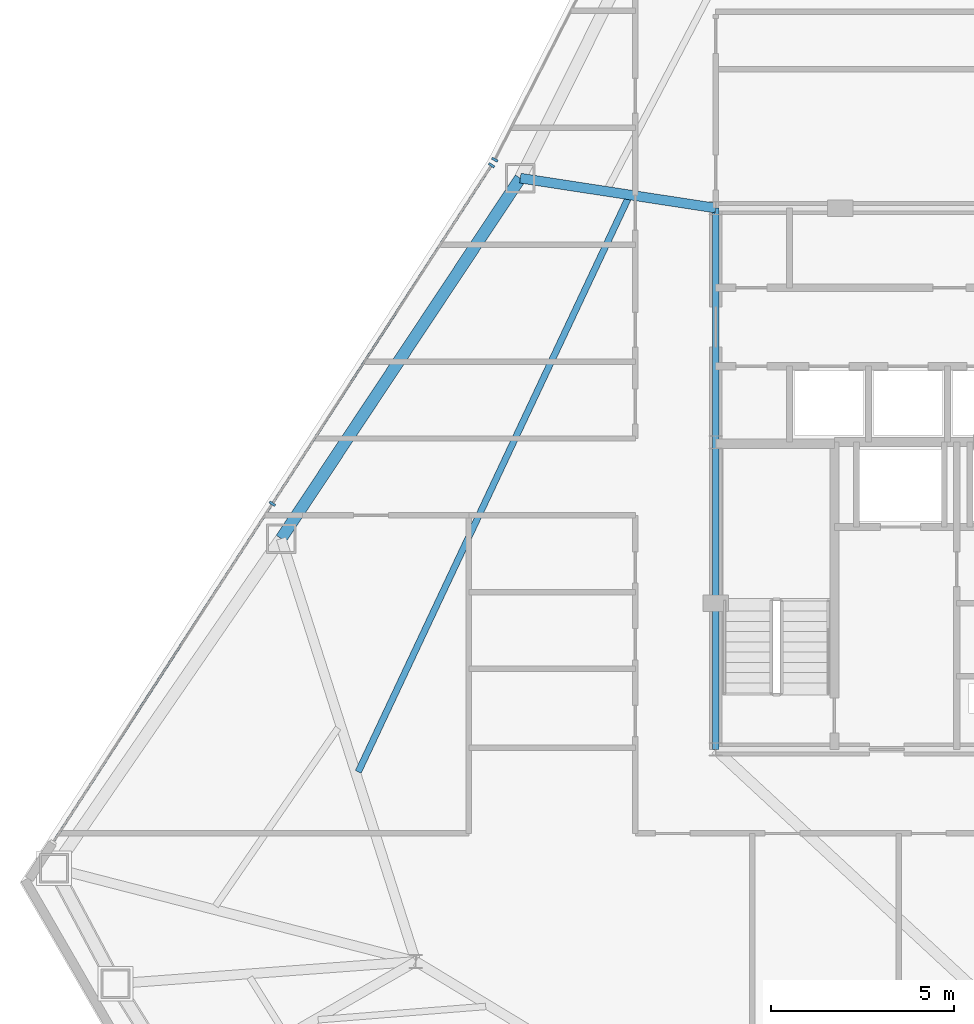
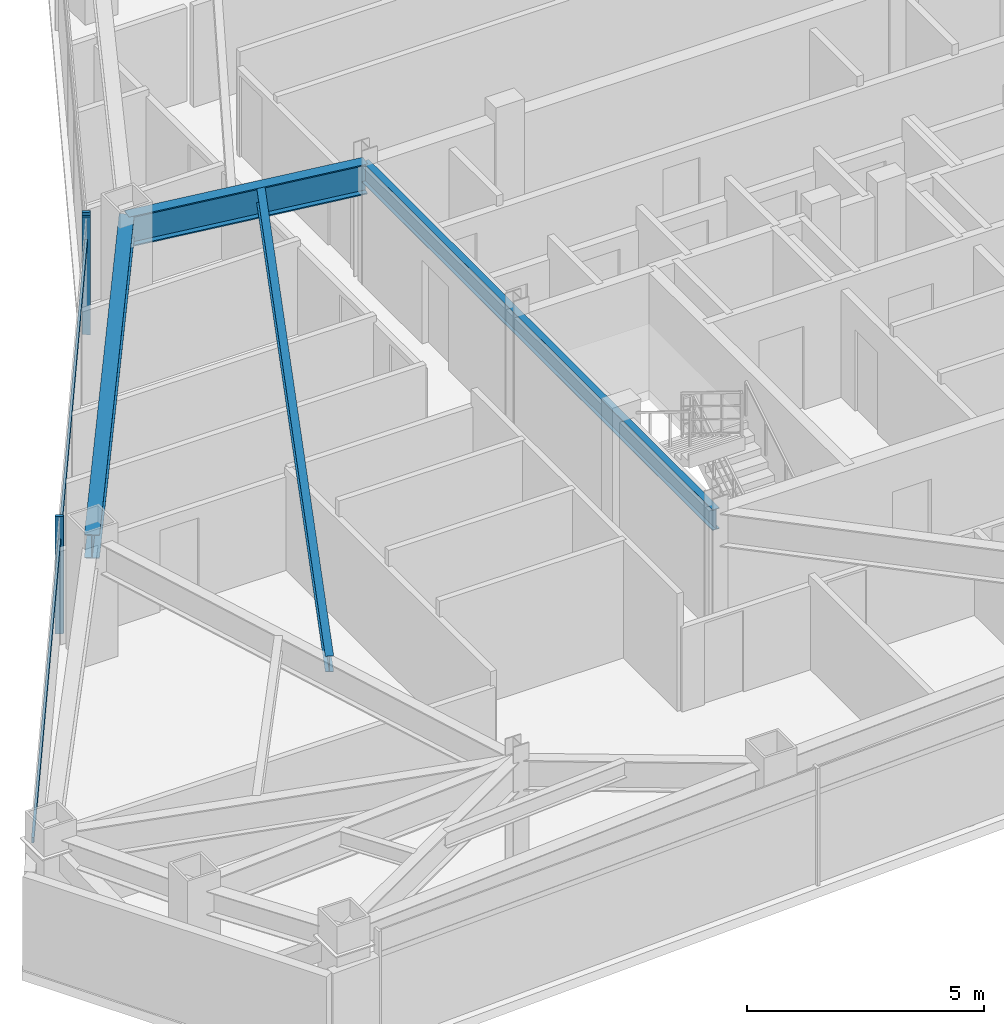
# One storey, part 4 of 12: 4 beams, 4 members, 2 elements without a shape of their own.
"""IFC4 building model written with IfcOpenShell, lengths in metres."""

from ifc_helpers import new_model, si_unit, direction, frame, origin, origin_2d, place, context, subcontext, project, spatial, rectangle, i_section, extrude, source, transform, mapped, material, layer, layer_set, material_profile, profile_set, type_object, type_shapes, element, aggregate, save


model = new_model("IFC4")

# Units and contexts
model_context = context("Model", 3, precision=1e-05, world=origin(), true_north=direction((0.0, 1.0)))
body_context = subcontext(model_context, "Body", "Model", "MODEL_VIEW")
ifc_project = project(units=[si_unit("LENGTHUNIT", "METRE"), si_unit("AREAUNIT", "SQUARE_METRE"), si_unit("VOLUMEUNIT", "CUBIC_METRE"), si_unit("PLANEANGLEUNIT", "RADIAN"), si_unit("MASSUNIT", "GRAM", prefix="KILO")], contexts=[model_context])

# Site, building, storey
site_placement = place(None, origin())
site = spatial("IfcSite", under=ifc_project, at=site_placement, CompositionType="ELEMENT")
building_placement = place(site_placement, origin())
building = spatial("IfcBuilding", under=site, at=building_placement, Name="Varakhsha Concourse Tower", CompositionType="ELEMENT")
storey_placement = place(building_placement, frame((0.0, 0.0, 193.050048828125)))
storey = spatial("IfcBuildingStorey", under=building, at=storey_placement, Name="L55", CompositionType="ELEMENT", Elevation=193.050048828125)

# Beams
ifc_material_1 = material(Name="Structural Steel ASTM A992 Grade 50", Category="steel")
ifc_material_profile_1 = material_profile(ifc_material_1, i_section(OverallWidth=0.26611328125, OverallDepth=0.779052734375, WebThickness=0.01708984375, FlangeThickness=0.030029296875, at=origin_2d()), Name="W30X148")
ifc_profile_set_1 = profile_set([ifc_material_profile_1], Name="Structural Steel ASTM A992 Grade 50")
beam_type_1 = type_object("IfcBeamType", Name="BM-BASE-W30X148", PredefinedType="USERDEFINED", material=ifc_profile_set_1)
beam_1_placement = place(storey_placement, frame((31.800048828125, 31.199951171875, 2.640380859375), z_axis=(-0.988452490502, 0.151531099184, 0.0), x_axis=(-0.151531099184, -0.988452490502, 0.0)))
element("IfcBeam", 1, at=beam_1_placement, inside=storey, type_object=beam_type_1, Name="L55 Radial Floor Girder 05", ObjectType="GIRDER", PredefinedType="USERDEFINED", context=body_context, shape_type="SweptSolid", body=[
    extrude(i_section(OverallWidth=0.26611328125, OverallDepth=0.779052734375, WebThickness=0.01708984375, FlangeThickness=0.030029296875, at=origin_2d()), origin(), (0.0, 0.0, 1.0), 5.405517578125),
])
ifc_material_profile_2 = material_profile(ifc_material_1, i_section(OverallWidth=0.177978515625, OverallDepth=0.406982421875, WebThickness=0.008056640625, FlangeThickness=0.012939453125, at=origin_2d()), Name="W16X40")
ifc_profile_set_2 = profile_set([ifc_material_profile_2], Name="Structural Steel ASTM A992 Grade 50")
beam_type_2 = type_object("IfcBeamType", Name="BM-JST-W16X40", PredefinedType="JOIST", material=ifc_profile_set_2)
beam_2_placement = place(storey_placement, frame((29.402099609375, 31.460693359375, 2.826416015625), z_axis=(-0.425771244252, -0.9048308392, 0.0), x_axis=(0.9048308392, -0.425771244252, 0.0)))
element("IfcBeam", 2, at=beam_2_placement, inside=storey, type_object=beam_type_2, Name="BM-TJST-L55-05", PredefinedType="JOIST", context=body_context, shape_type="SweptSolid", body=[
    extrude(i_section(OverallWidth=0.177978515625, OverallDepth=0.406982421875, WebThickness=0.008056640625, FlangeThickness=0.012939453125, at=origin_2d()), origin(), (0.0, 0.0, 1.0), 17.32275390625),
])
ifc_material_profile_3 = material_profile(ifc_material_1, i_section(OverallWidth=0.1669921875, OverallDepth=0.534912109375, WebThickness=0.010009765625, FlangeThickness=0.01708984375, at=origin_2d()), Name="W21X57")
ifc_profile_set_3 = profile_set([ifc_material_profile_3], Name="Structural Steel ASTM A992 Grade 50")
beam_type_3 = type_object("IfcBeamType", Name="BM-RAD-W21X57", PredefinedType="BEAM", material=ifc_profile_set_3)
beam_3_placement = place(storey_placement, frame((31.800048828125, 16.39990234375, 2.762451171875), z_axis=(0.0, 1.0, 0.0), x_axis=(-1.0, 0.0, 0.0)))
element("IfcBeam", 3, at=beam_3_placement, inside=storey, type_object=beam_type_3, Name="BM-TCORE-L55-CW", PredefinedType="BEAM", context=body_context, shape_type="SweptSolid", body=[
    extrude(i_section(OverallWidth=0.1669921875, OverallDepth=0.534912109375, WebThickness=0.010009765625, FlangeThickness=0.01708984375, at=origin_2d()), origin(), (0.0, 0.0, 1.0), 14.800048828125),
])
ifc_material_profile_4 = material_profile(ifc_material_1, i_section(OverallWidth=0.323974609375, OverallDepth=0.611083984375, WebThickness=0.012939453125, FlangeThickness=0.01904296875, at=origin_2d()), Name="W24X104")
ifc_profile_set_4 = profile_set([ifc_material_profile_4], Name="Structural Steel ASTM A992 Grade 50")
beam_type_4 = type_object("IfcBeamType", Name="BM-SPAN-W24X104", PredefinedType="SPANDREL", material=ifc_profile_set_4)
beam_4_placement = place(storey_placement, frame((26.45703125, 32.01904296875, 2.724365234375), z_axis=(-0.552822271607, -0.833299187576, 0.0), x_axis=(0.833299187576, -0.552822271607, 0.0)))
element("IfcBeam", 4, at=beam_4_placement, inside=storey, type_object=beam_type_4, Name="BM-SPAN-L55-05", PredefinedType="SPANDREL", context=body_context, shape_type="SweptSolid", body=[
    extrude(i_section(OverallWidth=0.323974609375, OverallDepth=0.611083984375, WebThickness=0.012939453125, FlangeThickness=0.01904296875, at=origin_2d()), origin(), (0.0, 0.0, 1.0), 11.829345703125),
])

# Curtain wall, member
ifc_material_2 = material(Name="Anodised Bronze Architectural Aluminium AA 6063-T6", Category="aluminium")
ifc_layer = layer(ifc_material_2, 0.2099609375, Name="CW-SYS-04")
ifc_layer_set = layer_set([ifc_layer], Name="Anodised Bronze Architectural Aluminium AA 6063-T6")
curtain_wall_type = type_object("IfcCurtainWallType", Name="CW-SYS-04", PredefinedType="NOTDEFINED", material=ifc_layer_set)
curtain_wall_1_placement = place(storey_placement, origin())
curtain_wall_1 = element("IfcCurtainWall", 5, at=curtain_wall_1_placement, inside=storey, type_object=curtain_wall_type, Name="L55 Crystal Curtain Wall F2", PredefinedType="NOTDEFINED")
ifc_material_profile_5 = material_profile(ifc_material_2, rectangle(XDim=0.06494140625, YDim=0.179931640625, at=origin_2d()), Name="CWM-180X65")
ifc_profile_set_5 = profile_set([ifc_material_profile_5], Name="Anodised Bronze Architectural Aluminium AA 6063-T6")
member_type_1 = type_object("IfcMemberType", Name="CWM-180X65", PredefinedType="MULLION", material=ifc_profile_set_5)
shared_shape_1 = source(origin(), body_context, "Body", "SweptSolid", [
    extrude(rectangle(XDim=0.06494140625, YDim=0.179931640625, at=origin_2d()), origin(), (0.0, 0.0, 1.0), 3.030029296875),
])
type_shapes(member_type_1, [shared_shape_1])
member_1_placement = place(storey_placement, frame((25.759521484375, 32.5234375, 0.0), z_axis=(0.0, 0.0, 1.0), x_axis=(0.455102042277, 0.890439291089, 0.0)))
member_1 = element("IfcMember", 6, at=member_1_placement, type_object=member_type_1, Name="CW-L55-F2 Mullion 00", PredefinedType="MULLION", context=body_context, shape_type="MappedRepresentation", body=[
    mapped(shared_shape_1, transform((0.0, 0.0, 0.0), scale=1.0)),
])
aggregate(curtain_wall_1, [member_1])

# Curtain wall, members
curtain_wall_2_placement = place(storey_placement, origin())
curtain_wall_2 = element("IfcCurtainWall", 7, at=curtain_wall_2_placement, inside=storey, type_object=curtain_wall_type, Name="L55 Crystal Curtain Wall F3", PredefinedType="NOTDEFINED")
member_2_placement = place(storey_placement, frame((19.67724609375, 23.115478515625, 0.0), z_axis=(0.0, 0.0, 1.0), x_axis=(0.543587630641, 0.8393524217, 0.0)))
member_2 = element("IfcMember", 8, at=member_2_placement, type_object=member_type_1, Name="CW-L55-F3 Mullion 01", PredefinedType="MULLION", context=body_context, shape_type="MappedRepresentation", body=[
    mapped(shared_shape_1, transform((0.0, 0.0, 0.0), scale=1.0)),
])
member_3_placement = place(storey_placement, frame((25.67138671875, 32.370849609375, 0.0), z_axis=(0.0, 0.0, 1.0), x_axis=(0.543587630641, 0.8393524217, 0.0)))
member_3 = element("IfcMember", 9, at=member_3_placement, type_object=member_type_1, Name="CW-L55-F3 Mullion 02", PredefinedType="MULLION", context=body_context, shape_type="MappedRepresentation", body=[
    mapped(shared_shape_1, transform((0.0, 0.0, 0.0), scale=1.0)),
])
ifc_material_profile_6 = material_profile(ifc_material_2, rectangle(XDim=0.06005859375, YDim=0.139892578125, at=origin_2d()), Name="CWT-140X60")
ifc_profile_set_6 = profile_set([ifc_material_profile_6], Name="Anodised Bronze Architectural Aluminium AA 6063-T6")
member_type_2 = type_object("IfcMemberType", Name="CWT-140X60", PredefinedType="USERDEFINED", material=ifc_profile_set_6)
shared_shape_2 = source(origin(), body_context, "Body", "SweptSolid", [
    extrude(rectangle(XDim=0.06005859375, YDim=0.139892578125, at=origin_2d()), origin(), (0.0, 0.0, 1.0), 22.053466796875),
])
type_shapes(member_type_2, [shared_shape_2])
member_4_placement = place(storey_placement, frame((13.683349609375, 13.860107421875, 2.3798828125), z_axis=(0.543586773996, 0.839352976486, 0.0), x_axis=(-0.839352976486, 0.543586773996, 0.0)))
member_4 = element("IfcMember", 10, at=member_4_placement, type_object=member_type_2, Name="CW-L55-F3 Transom 01", ObjectType="TRANSOM", PredefinedType="USERDEFINED", context=body_context, shape_type="MappedRepresentation", body=[
    mapped(shared_shape_2, transform((0.0, 0.0, 0.0), scale=1.0)),
])
aggregate(curtain_wall_2, [member_2, member_3, member_4])

save(model, "model.ifc")
